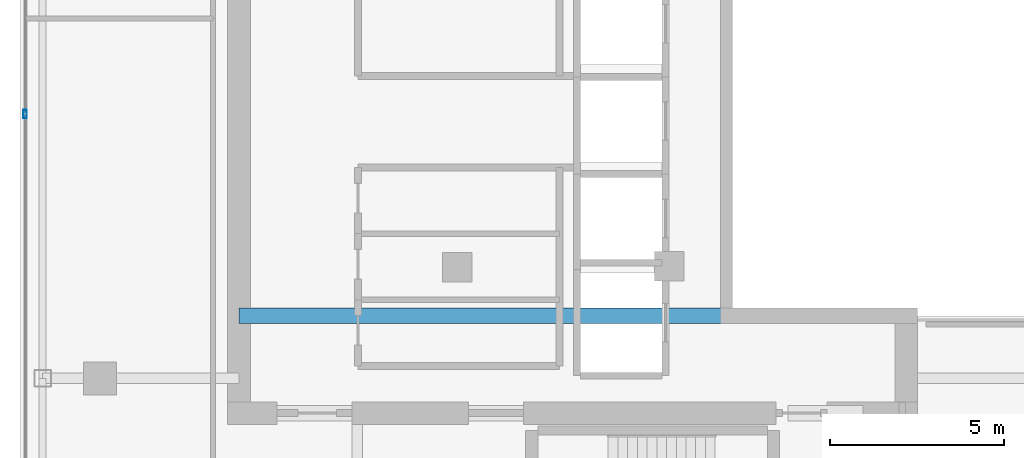
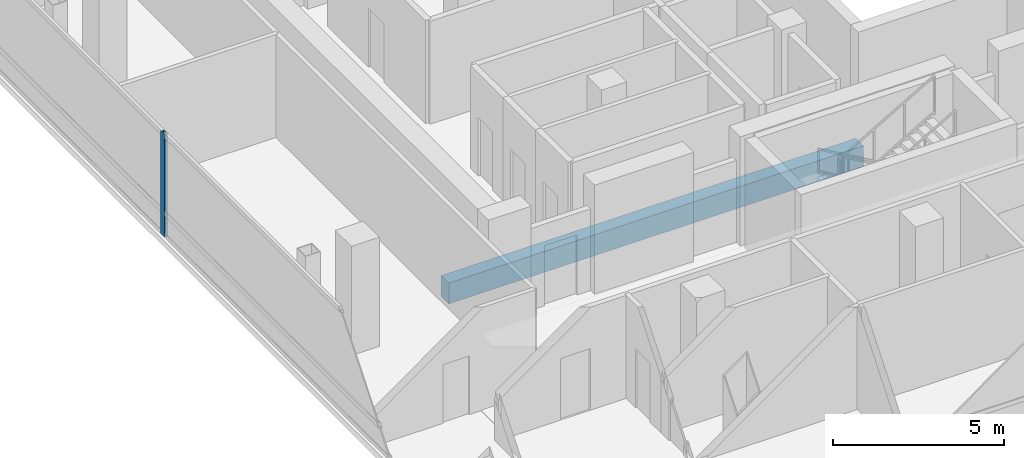
# One storey, part 6 of 24: 1 beam, 1 member, 1 element without a shape of its own.
"""IFC4 building model written with IfcOpenShell, lengths in metres."""

import ifcopenshell
import ifcopenshell.guid

model = None  # the IFC model being written
_history = None  # IfcOwnerHistory: only IFC2X3 demands one
_inside = {}  # id of a spatial element -> (the spatial element, [elements in it])
_under = {}  # id of a project, library or spatial element -> (it, [spatial elements below it])
_declared = {}  # id of a project -> (the project, [libraries it declares])
_typed = {}  # id of a type object -> (the type object, [elements of that type])
_made_of = {}  # id of a material, layer set ... -> (it, [elements and type objects made of it])


def new_model(schema):
    """Start an empty IFC model of exactly this schema.

    Asked for "IFC4X3", IfcOpenShell would pick the latest addendum, in which some entities
    have other attributes; the version numbers below select the first issue.
    IFC2X3 requires an IfcOwnerHistory on every rooted entity: one is made here for all.
    """
    global model, _history
    if schema == "IFC4X3":
        model = ifcopenshell.file(schema_version=(4, 3, 0, 0))
    else:
        model = ifcopenshell.file(schema=schema)
    _inside.clear()
    _under.clear()
    _declared.clear()
    _typed.clear()
    _made_of.clear()
    _history = None
    if model.schema == "IFC2X3":
        org = make("IfcOrganization", Name="unknown")
        user = make(
            "IfcPersonAndOrganization",
            ThePerson=make("IfcPerson", FamilyName="unknown"),
            TheOrganization=org,
        )
        app = make(
            "IfcApplication",
            ApplicationDeveloper=org,
            Version="unknown",
            ApplicationFullName="unknown",
            ApplicationIdentifier="unknown",
        )
        _history = make(
            "IfcOwnerHistory",
            OwningUser=user,
            OwningApplication=app,
            ChangeAction="ADDED",
            CreationDate=0,
        )
    return model


def make(cls, **values):
    """One entity of the class cls with the attributes given. An attribute that is None is left unset."""
    return model.create_entity(
        cls, **{name: value for name, value in values.items() if value is not None}
    )


def rooted(cls, **values):
    """An entity with a GlobalId (a new one), such as an element, a storey or a relation."""
    return make(cls, GlobalId=ifcopenshell.guid.new(), OwnerHistory=_history, **values)


def si_unit(unit_type, name, prefix=None):
    """IfcSIUnit, for example si_unit("LENGTHUNIT", "METRE", prefix="MILLI")."""
    return make("IfcSIUnit", UnitType=unit_type, Prefix=prefix, Name=name)


def assignment(units):
    """IfcUnitAssignment: the units of a project."""
    return None if units is None else make("IfcUnitAssignment", Units=units)


def point(xyz):
    """IfcCartesianPoint."""
    return None if xyz is None else make("IfcCartesianPoint", Coordinates=xyz)


def direction(xyz):
    """IfcDirection."""
    return None if xyz is None else make("IfcDirection", DirectionRatios=xyz)


def frame(location, z_axis=None, x_axis=None):
    """IfcAxis2Placement3D, a coordinate frame: its origin and axes. An axis left out is left unset."""
    return make(
        "IfcAxis2Placement3D",
        Location=point(location),
        Axis=direction(z_axis),
        RefDirection=direction(x_axis),
    )


def frame_2d(location, x_axis=None):
    """IfcAxis2Placement2D, a coordinate frame in the plane: its origin and x axis."""
    return make(
        "IfcAxis2Placement2D", Location=point(location), RefDirection=direction(x_axis)
    )


def origin():
    """The frame at (0, 0, 0) with its axes left unset."""
    return frame((0.0, 0.0, 0.0))


def origin_2d():
    """The frame at (0, 0) in the plane with its x axis left unset."""
    return frame_2d((0.0, 0.0))


def place(relative_to, where):
    """IfcLocalPlacement: puts the frame where relative to a parent placement (None: the world)."""
    return make(
        "IfcLocalPlacement", PlacementRelTo=relative_to, RelativePlacement=where
    )


def context(
    kind, dimensions, precision=None, world=None, true_north=None, identifier=None
):
    """IfcGeometricRepresentationContext, for example the 3D "Model" context."""
    return make(
        "IfcGeometricRepresentationContext",
        ContextIdentifier=identifier,
        ContextType=kind,
        CoordinateSpaceDimension=dimensions,
        Precision=precision,
        WorldCoordinateSystem=world,
        TrueNorth=true_north,
    )


def subcontext(parent, identifier, kind, view, scale=None):
    """IfcGeometricRepresentationSubContext, for example "Body" below "Model"."""
    return make(
        "IfcGeometricRepresentationSubContext",
        ContextIdentifier=identifier,
        ContextType=kind,
        ParentContext=parent,
        TargetScale=scale,
        TargetView=view,
    )


def project(units=None, contexts=None):
    """IfcProject with its units and contexts."""
    return rooted(
        "IfcProject",
        Name="project",
        RepresentationContexts=contexts,
        UnitsInContext=assignment(units),
    )


def spatial(cls, under=None, at=None, **own):
    """A site, building, storey or space (cls), placed at a placement, below another one or the project."""
    s = rooted(cls, ObjectPlacement=at, **own)
    if under is not None:
        _under.setdefault(under.id(), (under, []))[1].append(s)
    return s


def profile(cls, at=None, kind="AREA", **sizes):
    """A parametric profile (cls). Its sizes go by their IFC names, for example OverallWidth=200.0."""
    return make(cls, ProfileType=kind, Position=at, **sizes)


def rectangle(**sizes):
    """IfcRectangleProfileDef."""
    return profile("IfcRectangleProfileDef", **sizes)


def hollow_rectangle(**sizes):
    """IfcRectangleHollowProfileDef."""
    return profile("IfcRectangleHollowProfileDef", **sizes)


def extrude(swept, where, along, depth):
    """IfcExtrudedAreaSolid: the profile swept, set in the frame where, extruded along a direction by depth."""
    return make(
        "IfcExtrudedAreaSolid",
        SweptArea=swept,
        Position=where,
        ExtrudedDirection=direction(along),
        Depth=depth,
    )


def shape(context_of_items, identifier, shape_type, items):
    """IfcShapeRepresentation: the items that make up one representation, for example the "Body"."""
    return make(
        "IfcShapeRepresentation",
        ContextOfItems=context_of_items,
        RepresentationIdentifier=identifier,
        RepresentationType=shape_type,
        Items=items,
    )


def material(Name=None, Category=None):
    """IfcMaterial."""
    return make("IfcMaterial", Name=Name, Category=Category)


def layer(
    of_material, thickness, ventilated=None, Name=None, Category=None, Priority=None
):
    """IfcMaterialLayer: one layer of a wall or slab, of a material (None: an air gap)."""
    return make(
        "IfcMaterialLayer",
        Material=of_material,
        LayerThickness=thickness,
        IsVentilated=ventilated,
        Name=Name,
        Category=Category,
        Priority=Priority,
    )


def layer_set(layers, Name=None):
    """IfcMaterialLayerSet."""
    return make("IfcMaterialLayerSet", MaterialLayers=layers, LayerSetName=Name)


def material_profile(
    of_material, cross_section, Name=None, Category=None, Priority=None
):
    """IfcMaterialProfile: a cross section and its material."""
    return make(
        "IfcMaterialProfile",
        Name=Name,
        Material=of_material,
        Profile=cross_section,
        Priority=Priority,
        Category=Category,
    )


def profile_set(profiles, Name=None, composite=None):
    """IfcMaterialProfileSet."""
    return make(
        "IfcMaterialProfileSet",
        Name=Name,
        MaterialProfiles=profiles,
        CompositeProfile=composite,
    )


def made_of(thing, what):
    """Note that an element or type object is made of a material, layer set ...; save() writes the relation."""
    if what is not None:
        _made_of.setdefault(what.id(), (what, []))[1].append(thing)
    return thing


def type_object(cls, material=None, **own):
    """A type object (cls), such as IfcWallType, which elements share."""
    return made_of(rooted(cls, **own), material)


def element(
    cls,
    number,
    at=None,
    inside=None,
    cuts=None,
    type_object=None,
    material=None,
    context=None,
    identifier="Body",
    shape_type=None,
    held_by="IfcProductDefinitionShape",
    body=None,
    shapes=None,
    **own,
):
    """One element of the class cls, such as IfcWall. Its Tag is "e" and its number.

    at: its placement. inside: the storey or other place that contains it. cuts: it is an
    opening in that element (IfcRelVoidsElement). A single representation is given by context,
    identifier, shape_type and body (its items); several are given by shapes. held_by: the class
    of the entity that holds the representations. save() writes the other relations.
    """
    e = rooted(cls, Tag="e%d" % number, ObjectPlacement=at, **own)
    if body is not None:
        shapes = [shape(context, identifier, shape_type, body)]
    if shapes is not None:
        e.Representation = make(held_by, Representations=shapes)
    if inside is not None:
        _inside.setdefault(inside.id(), (inside, []))[1].append(e)
    if cuts is not None:
        rooted(
            "IfcRelVoidsElement", RelatingBuildingElement=cuts, RelatedOpeningElement=e
        )
    if type_object is not None:
        _typed.setdefault(type_object.id(), (type_object, []))[1].append(e)
    return made_of(e, material)


def aggregate(whole, parts):
    """IfcRelAggregates: a whole, such as a stair, and the parts it consists of."""
    return rooted("IfcRelAggregates", RelatingObject=whole, RelatedObjects=parts)


def save(model, path):
    """Write the relations noted so far, then the file.

    IfcRelAggregates (storeys below a building ...), IfcRelContainedInSpatialStructure (elements
    in a storey), IfcRelDefinesByType, IfcRelAssociatesMaterial and IfcRelDeclares: one each for
    every whole, place, type object, material and project.
    """
    for whole, parts in _under.values():
        aggregate(whole, parts)
    for where, things in _inside.values():
        rooted(
            "IfcRelContainedInSpatialStructure",
            RelatedElements=things,
            RelatingStructure=where,
        )
    for kind, things in _typed.values():
        rooted("IfcRelDefinesByType", RelatedObjects=things, RelatingType=kind)
    for what, things in _made_of.values():
        rooted("IfcRelAssociatesMaterial", RelatedObjects=things, RelatingMaterial=what)
    for by, libraries in _declared.values():
        rooted("IfcRelDeclares", RelatingContext=by, RelatedDefinitions=libraries)
    model.write(path)


model = new_model("IFC4")

# Units and contexts
model_context = context("Model", 3, precision=1e-05, world=origin(), true_north=direction((0.0, 1.0)))
body_context = subcontext(model_context, "Body", "Model", "MODEL_VIEW")
ifc_project = project(units=[si_unit("LENGTHUNIT", "METRE"), si_unit("AREAUNIT", "SQUARE_METRE"), si_unit("VOLUMEUNIT", "CUBIC_METRE"), si_unit("PLANEANGLEUNIT", "RADIAN"), si_unit("MASSUNIT", "GRAM", prefix="KILO")], contexts=[model_context])

# Site, building, storey
site_placement = place(None, origin())
site = spatial("IfcSite", under=ifc_project, at=site_placement, CompositionType="ELEMENT")
building_placement = place(site_placement, origin())
building = spatial("IfcBuilding", under=site, at=building_placement, Name="Khorvyn Point Tower", CompositionType="ELEMENT")
storey_placement = place(building_placement, frame((0.0, 0.0, 266.39990234375)))
storey = spatial("IfcBuildingStorey", under=building, at=storey_placement, Name="L65", CompositionType="ELEMENT", Elevation=266.39990234375)

# Curtain wall, member
ifc_material_1 = material(Name="Anodised aluminium 6063-T6 and laminated Low-E glass", Category="aluminium")
ifc_layer = layer(ifc_material_1, 0.18994140625)
ifc_layer_set = layer_set([ifc_layer], Name="Stick-Built High-Wind Curtain Wall CW-SYS-04")
curtain_wall_type = type_object("IfcCurtainWallType", Name="Stick-Built High-Wind Curtain Wall CW-SYS-04", PredefinedType="NOTDEFINED", material=ifc_layer_set)
curtain_wall_placement = place(storey_placement, origin())
curtain_wall = element("IfcCurtainWall", 1, at=curtain_wall_placement, inside=storey, type_object=curtain_wall_type, Name="Curtain Wall", PredefinedType="NOTDEFINED")
ifc_material_2 = material(Name="Anodised aluminium 6063-T6", Category="aluminium")
ifc_material_profile_1 = material_profile(ifc_material_2, hollow_rectangle(XDim=0.10009765625, YDim=0.239990234375, WallThickness=0.0048828125, at=origin_2d()))
ifc_profile_set_1 = profile_set([ifc_material_profile_1], Name="Anodised aluminium 6063-T6 ALU-MUL-100x240")
member_type = type_object("IfcMemberType", Name="Anodised Aluminium 6063-T6 Mullion ALU-MUL-100x240", PredefinedType="MULLION", material=ifc_profile_set_1)
member_placement = place(storey_placement, frame((-16.949951171875, 0.199951171875, 0.0), z_axis=(0.0, 0.0, 1.0), x_axis=(-1.0, 0.0, 0.0)))
member = element("IfcMember", 2, at=member_placement, type_object=member_type, Name="Transom", PredefinedType="MULLION", context=body_context, shape_type="SweptSolid", body=[
    extrude(hollow_rectangle(XDim=0.10009765625, YDim=0.239990234375, WallThickness=0.0048828125, at=origin_2d()), origin(), (0.0, 0.0, 1.0), 3.68017578125),
])
aggregate(curtain_wall, [member])

# Beam
ifc_material_3 = material(Name="Concrete C40/50", Category="concrete")
ifc_material_profile_2 = material_profile(ifc_material_3, rectangle(XDim=0.449951171875, YDim=0.75, at=origin_2d()))
ifc_profile_set_2 = profile_set([ifc_material_profile_2], Name="Concrete C40/50 RC450x750")
beam_type = type_object("IfcBeamType", Name="Concrete C40/50 Beam RC450x750", PredefinedType="BEAM", material=ifc_profile_set_2)
beam_placement = place(storey_placement, frame((-10.800048828125, -5.60009765625, -0.594970703125), z_axis=(1.0, 0.0, 0.0), x_axis=(0.0, 1.0, 0.0)))
element("IfcBeam", 3, at=beam_placement, inside=storey, type_object=beam_type, Name="L65 Core Internal Tie Girder S", PredefinedType="BEAM", context=body_context, shape_type="SweptSolid", body=[
    extrude(rectangle(XDim=0.449951171875, YDim=0.75, at=origin_2d()), origin(), (0.0, 0.0, 1.0), 14.02001953125),
])

save(model, "model.ifc")
